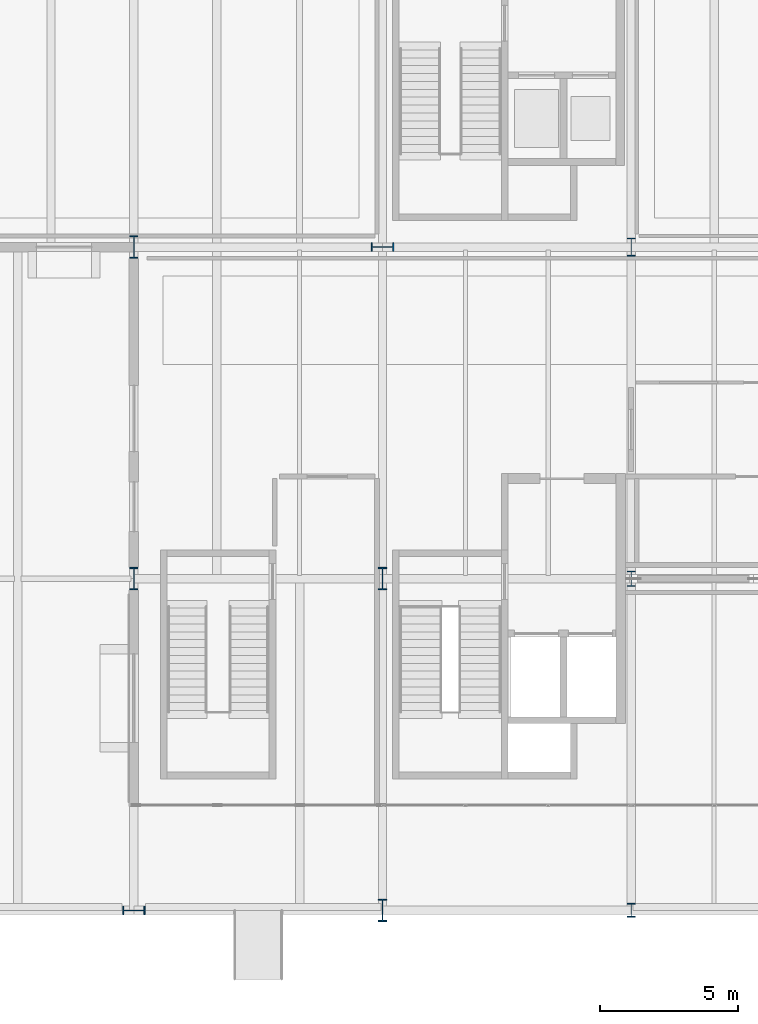
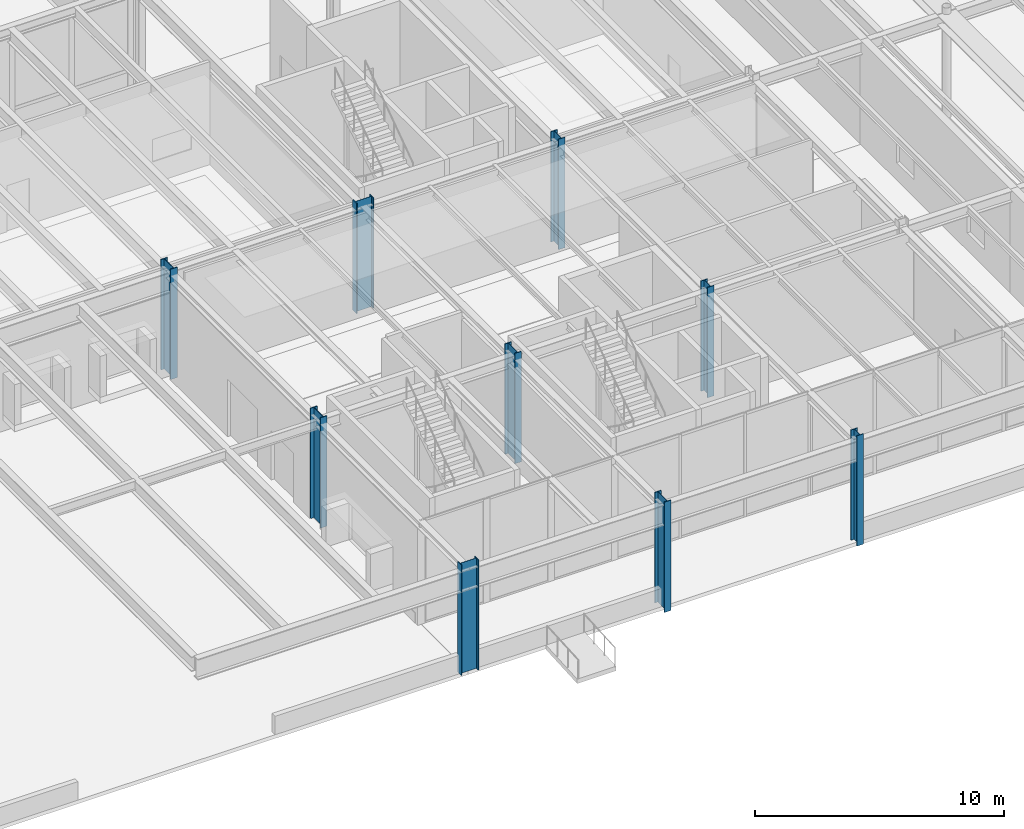
# One storey, part 1 of 143: 9 columns.
"""IFC4 building model written with IfcOpenShell, lengths in metres."""

from ifc_helpers import new_model, si_unit, direction, frame, origin, origin_2d, place, context, subcontext, project, spatial, i_section, extrude, material, material_profile, profile_set, type_object, element, save


model = new_model("IFC4")

# Units and contexts
model_context = context("Model", 3, precision=1e-05, world=origin(), true_north=direction((0.0, 1.0)))
body_context = subcontext(model_context, "Body", "Model", "MODEL_VIEW")
ifc_project = project(units=[si_unit("LENGTHUNIT", "METRE"), si_unit("AREAUNIT", "SQUARE_METRE"), si_unit("VOLUMEUNIT", "CUBIC_METRE"), si_unit("PLANEANGLEUNIT", "RADIAN"), si_unit("MASSUNIT", "GRAM", prefix="KILO")], contexts=[model_context])

# Site, building, storey
site_placement = place(None, origin())
site = spatial("IfcSite", under=ifc_project, at=site_placement, CompositionType="ELEMENT")
building_placement = place(site_placement, origin())
building = spatial("IfcBuilding", under=site, at=building_placement, Name="Montelvaro Courts of Justice", CompositionType="ELEMENT")
storey_placement = place(building_placement, origin())
storey = spatial("IfcBuildingStorey", under=building, at=storey_placement, Name="L00", CompositionType="ELEMENT", Elevation=0.0)

# Columns
ifc_material = material(Name="Steel S355", Category="steel")
ifc_material_profile_1 = material_profile(ifc_material, i_section(OverallWidth=0.300048828125, OverallDepth=0.5, WebThickness=0.014404296875, FlangeThickness=0.028076171875, at=origin_2d()), Name="HEB 500")
ifc_profile_set_1 = profile_set([ifc_material_profile_1], Name="Steel S355")
column_type_1 = type_object("IfcColumnType", Name="Col_HEB500", PredefinedType="COLUMN", material=ifc_profile_set_1)
column_1_placement = place(storey_placement, frame((63.0, 0.0, 0.0), z_axis=(0.0, 0.0, 1.0), x_axis=(1.0, 0.0, 0.0)))
element("IfcColumn", 1, at=column_1_placement, inside=storey, type_object=column_type_1, Name="Column C-09 L00 8/A", PredefinedType="COLUMN", context=body_context, shape_type="SweptSolid", body=[
    extrude(i_section(OverallWidth=0.300048828125, OverallDepth=0.5, WebThickness=0.014404296875, FlangeThickness=0.028076171875, at=origin_2d()), origin(), (0.0, 0.0, 1.0), 5.39990234375),
])
ifc_material_profile_2 = material_profile(ifc_material, i_section(OverallWidth=0.300048828125, OverallDepth=0.550048828125, WebThickness=0.014892578125, FlangeThickness=0.029052734375, at=origin_2d()), Name="HEB 550")
ifc_profile_set_2 = profile_set([ifc_material_profile_2], Name="Steel S355")
column_type_2 = type_object("IfcColumnType", Name="Col_HEB550", PredefinedType="COLUMN", material=ifc_profile_set_2)
column_2_placement = place(storey_placement, frame((63.0, 12.0, 0.0), z_axis=(0.0, 0.0, 1.0), x_axis=(1.0, 0.0, 0.0)))
element("IfcColumn", 2, at=column_2_placement, inside=storey, type_object=column_type_2, Name="Column C-10 L00 8/B", PredefinedType="COLUMN", context=body_context, shape_type="SweptSolid", body=[
    extrude(i_section(OverallWidth=0.300048828125, OverallDepth=0.550048828125, WebThickness=0.014892578125, FlangeThickness=0.029052734375, at=origin_2d()), origin(), (0.0, 0.0, 1.0), 5.39990234375),
])
ifc_material_profile_3 = material_profile(ifc_material, i_section(OverallWidth=0.300048828125, OverallDepth=0.64990234375, WebThickness=0.01611328125, FlangeThickness=0.031005859375, at=origin_2d()), Name="HEB 650")
ifc_profile_set_3 = profile_set([ifc_material_profile_3], Name="Steel S355")
column_type_3 = type_object("IfcColumnType", Name="Col_HEB650", PredefinedType="COLUMN", material=ifc_profile_set_3)
column_3_placement = place(storey_placement, frame((63.0, 24.0, 0.0), z_axis=(0.0, 0.0, 1.0), x_axis=(1.0, 0.0, 0.0)))
element("IfcColumn", 3, at=column_3_placement, inside=storey, type_object=column_type_3, Name="Column C-12 L00 8/C", PredefinedType="COLUMN", context=body_context, shape_type="SweptSolid", body=[
    extrude(i_section(OverallWidth=0.300048828125, OverallDepth=0.64990234375, WebThickness=0.01611328125, FlangeThickness=0.031005859375, at=origin_2d()), origin(), (0.0, 0.0, 1.0), 5.39990234375),
])
ifc_material_profile_4 = material_profile(ifc_material, i_section(OverallWidth=0.302978515625, OverallDepth=0.81396484375, WebThickness=0.02099609375, FlangeThickness=0.0400390625, at=origin_2d()), Name="HEM 800")
ifc_profile_set_4 = profile_set([ifc_material_profile_4], Name="Steel S355")
column_type_4 = type_object("IfcColumnType", Name="Col_HEM800", PredefinedType="COLUMN", material=ifc_profile_set_4)
for number, where, z_axis, x_axis, name in (
    (4, (45.0, 0.0, 0.0), (0.0, 0.0, 1.0), (0.0, 1.0, 0.0), "Column C-17 L00 6/A"),
    (5, (45.0, 12.0, 0.0), (0.0, 0.0, 1.0), (1.0, 0.0, 0.0), "Column C-17 L00 6/B"),
    (6, (45.0, 24.0, 0.0), (0.0, 0.0, 1.0), (1.0, 0.0, 0.0), "Column C-17 L00 6/C"),
    (7, (54.0, 0.0, 0.0), (0.0, 0.0, 1.0), (1.0, 0.0, 0.0), "Column C-17 L00 7/A"),
    (8, (54.0, 12.0, 0.0), (0.0, 0.0, 1.0), (1.0, 0.0, 0.0), "Column C-17 L00 7/B"),
    (9, (54.0, 24.0, 0.0), (0.0, 0.0, 1.0), (0.0, 1.0, 0.0), "Column C-17 L00 7/C"),
):
    element("IfcColumn", number, at=place(storey_placement, frame(where, z_axis=z_axis, x_axis=x_axis)), inside=storey, type_object=column_type_4, Name=name, PredefinedType="COLUMN", context=body_context, shape_type="SweptSolid", body=[
        extrude(i_section(OverallWidth=0.302978515625, OverallDepth=0.81396484375, WebThickness=0.02099609375, FlangeThickness=0.0400390625, at=origin_2d()), origin(), (0.0, 0.0, 1.0), 5.39990234375),
    ])

save(model, "model.ifc")
